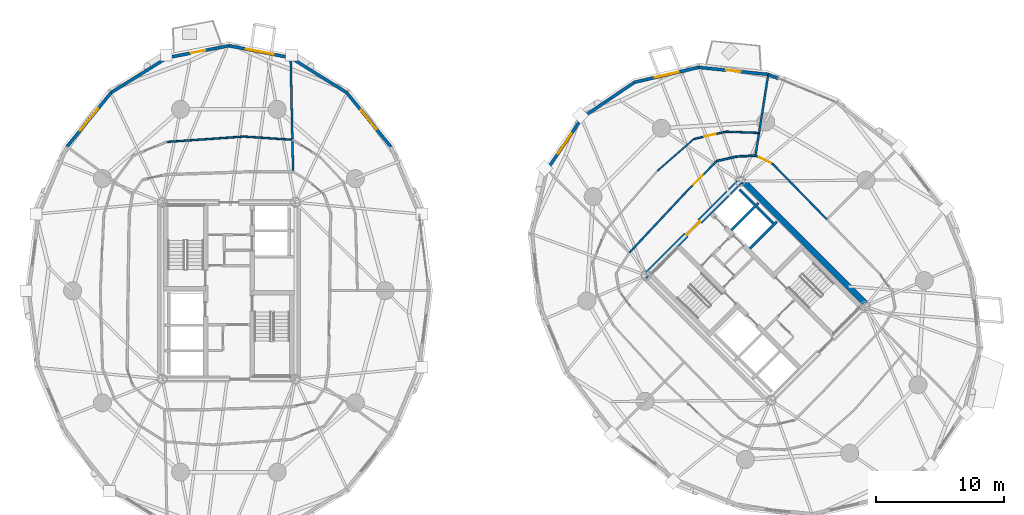
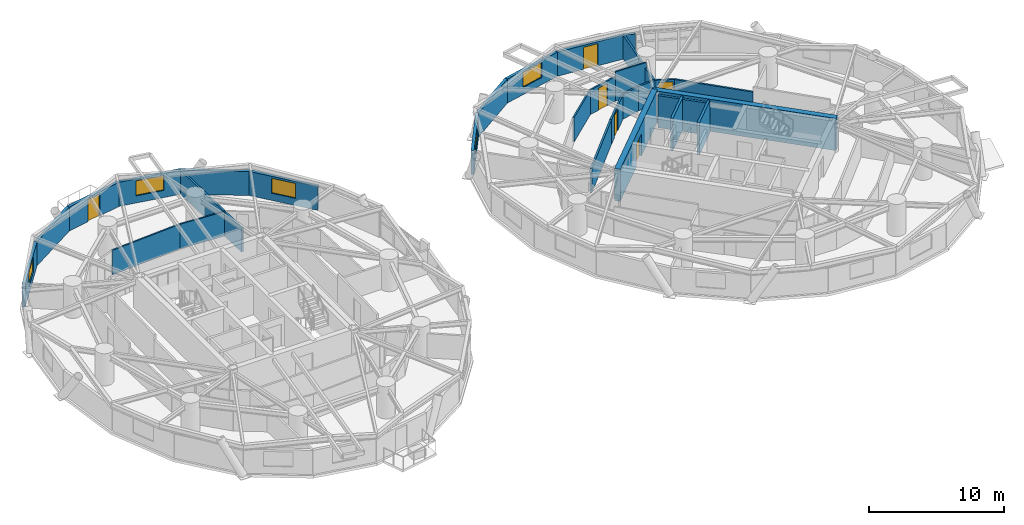
# One storey, part 14 of 18: 30 walls, 6 doors, 5 windows, 11 openings.
"""IFC4 building model written with IfcOpenShell, lengths in metres."""

from ifc_helpers import new_model, si_unit, direction, frame, frame_2d, origin, place, context, subcontext, project, spatial, rectangle, extrude, source, transform, mapped, material, layer, layer_set, type_object, element, fill, save


model = new_model("IFC4")

# Units and contexts
model_context = context("Model", 3, precision=1e-05, world=origin(), true_north=direction((0.0, 1.0)))
body_context = subcontext(model_context, "Body", "Model", "MODEL_VIEW")
ifc_project = project(units=[si_unit("LENGTHUNIT", "METRE"), si_unit("AREAUNIT", "SQUARE_METRE"), si_unit("VOLUMEUNIT", "CUBIC_METRE"), si_unit("PLANEANGLEUNIT", "RADIAN"), si_unit("MASSUNIT", "GRAM", prefix="KILO")], contexts=[model_context])

# Site, building, storey
site_placement = place(None, origin())
site = spatial("IfcSite", under=ifc_project, at=site_placement, CompositionType="ELEMENT")
building_placement = place(site_placement, origin())
building = spatial("IfcBuilding", under=site, at=building_placement, Name="Cununo Teusaquillo Station Towers", CompositionType="ELEMENT")
storey_placement = place(building_placement, frame((0.0, 0.0, 93.429931640625)))
storey = spatial("IfcBuildingStorey", under=building, at=storey_placement, Name="L29", CompositionType="ELEMENT", Elevation=93.429931640625)

# Walls
ifc_material_1 = material(Name="Concrete C50/60", Category="concrete")
ifc_layer_1 = layer(ifc_material_1, 0.199951171875)
ifc_layer_set_1 = layer_set([ifc_layer_1], Name="Concrete C50/60")
wall_type_1 = type_object("IfcWallType", Name="WL-CORE-200", PredefinedType="SHEAR", material=ifc_layer_set_1)
wall_1_placement = place(storey_placement, frame((57.0615234375, 27.781005859375, 0.0), z_axis=(0.0, 0.0, 1.0), x_axis=(0.707106781187, 0.707106781187, 0.0)))
element("IfcWall", 1, at=wall_1_placement, inside=storey, type_object=wall_type_1, Name="L29 Tower B Low-Rise Lift Hoistway South Shear Wall", PredefinedType="SHEAR", context=body_context, shape_type="SweptSolid", body=[
    extrude(rectangle(XDim=2.969970703125, YDim=0.199951171875, at=frame_2d((1.48486328125, 0.0))), origin(), (0.0, 0.0, 1.0), 2.91015625),
])
wall_2_placement = place(storey_placement, frame((55.615478515625, 29.22705078125, 0.0), z_axis=(0.0, 0.0, 1.0), x_axis=(0.707147878904, 0.70706568108, 0.0)))
element("IfcWall", 2, at=wall_2_placement, inside=storey, type_object=wall_type_1, Name="L29 Tower B Low-Rise Lift Hoistway Divider Shear Wall", PredefinedType="SHEAR", context=body_context, shape_type="SweptSolid", body=[
    extrude(rectangle(XDim=2.97021484375, YDim=0.199951171875, at=frame_2d((1.485107421875, 0.0))), origin(), (0.0, 0.0, 1.0), 2.91015625),
])
wall_3_placement = place(storey_placement, frame((58.86474609375, 29.75390625, 0.0), z_axis=(0.0, 0.0, 1.0), x_axis=(-0.707174411312, 0.707039144592, 0.0)))
element("IfcWall", 3, at=wall_3_placement, inside=storey, type_object=wall_type_1, Name="L29 Tower B Low-Rise Lift 1 Shaft Rear Shear Wall", PredefinedType="SHEAR", context=body_context, shape_type="SweptSolid", body=[
    extrude(rectangle(XDim=1.804931640625, YDim=0.199951171875, at=frame_2d((0.90234375, 0.0))), origin(), (0.0, 0.0, 1.0), 2.91015625),
])
wall_4_placement = place(storey_placement, frame((57.418701171875, 31.19970703125, 0.0), z_axis=(0.0, 0.0, 1.0), x_axis=(-0.707032117043, 0.707181437447, 0.0)))
element("IfcWall", 4, at=wall_4_placement, inside=storey, type_object=wall_type_1, Name="L29 Tower B Low-Rise Lift 2 Shaft Rear Shear Wall", PredefinedType="SHEAR", context=body_context, shape_type="SweptSolid", body=[
    extrude(rectangle(XDim=1.635009765625, YDim=0.199951171875, at=frame_2d((0.8173828125, 0.0))), origin(), (0.0, 0.0, 1.0), 2.91015625),
])
ifc_material_2 = material(Name="Concrete C60/75", Category="concrete")
ifc_layer_2 = layer(ifc_material_2, 0.449951171875)
ifc_layer_set_2 = layer_set([ifc_layer_2], Name="Concrete C60/75")
wall_type_2 = type_object("IfcWallType", Name="WL-CORE-450", PredefinedType="SHEAR", material=ifc_layer_set_2)
wall_5_placement = place(storey_placement, frame((66.303466796875, 23.2626953125, 0.0), z_axis=(0.0, 0.0, 1.0), x_axis=(-0.707106781187, 0.707106781187, 0.0)))
element("IfcWall", 5, at=wall_5_placement, inside=storey, type_object=wall_type_2, Name="L29 Tower B Core Shear Wall E", PredefinedType="SHEAR", context=body_context, shape_type="SweptSolid", body=[
    extrude(rectangle(XDim=14.19970703125, YDim=0.449951171875, at=frame_2d((7.099853515625, 0.0))), origin(), (0.0, 0.0, 1.0), 2.91015625),
])

# Wall, opening, door
wall_6_placement = place(storey_placement, frame((48.855712890625, 25.578369140625, 0.0), z_axis=(0.0, 0.0, 1.0), x_axis=(0.707106781187, 0.707106781187, 0.0)))
wall_6 = element("IfcWall", 6, at=wall_6_placement, inside=storey, type_object=wall_type_2, Name="L29 Tower B Core Shear Wall N", PredefinedType="SHEAR", context=body_context, shape_type="SweptSolid", body=[
    extrude(rectangle(XDim=10.69970703125, YDim=0.449951171875, at=frame_2d((5.349853515625, 0.0))), origin(), (0.0, 0.0, 1.0), 2.91015625),
])
shared_shape_1 = source(origin(), body_context, "Body", "SweptSolid", [
    extrude(rectangle(XDim=1.5, YDim=2.02001953125, at=frame_2d((0.75, 1.010009765625))), frame((0.0, 0.23486328125, 0.0), z_axis=(0.0, -1.0, 0.0), x_axis=(1.0, 0.0, 0.0)), (0.0, 0.0, 1.0), 0.469970703125),
])
opening_1_placement = place(wall_6_placement, frame((4.60009765625, 0.0, 0.0)))
opening_1 = element("IfcOpeningElement", 7, at=opening_1_placement, cuts=wall_6, Name="Opening D-LB1", PredefinedType="OPENING", context=body_context, shape_type="MappedRepresentation", body=[
    mapped(shared_shape_1, transform((0.0, 0.0, 0.0), x_axis=(1.0, 0.0, 0.0), y_axis=(0.0, 1.0, 0.0), z_axis=(0.0, 0.0, 1.0), scale=1.0)),
])
ifc_material_3 = material(Name="Galvanised fire-rated hollow steel door assembly", Category="steel")
door_type_1 = type_object("IfcDoorType", Name="DR-LOBBY-1500", OperationType="DOUBLE_DOOR_SINGLE_SWING", PredefinedType="DOOR", material=ifc_material_3)
shared_shape_2 = source(origin(), body_context, "Body", "SweptSolid", [
    extrude(rectangle(XDim=1.5, YDim=2.02001953125, at=frame_2d((0.75, 1.010009765625))), frame((0.0, 0.02490234375, 0.0), z_axis=(0.0, -1.0, 0.0), x_axis=(1.0, 0.0, 0.0)), (0.0, 0.0, 1.0), 0.050048828125),
])
door_1_placement = place(opening_1_placement, origin())
door_1 = element("IfcDoor", 8, at=door_1_placement, inside=storey, type_object=door_type_1, Name="L29 Tower B North Core Lift Lobby Door", OperationType="DOUBLE_DOOR_SINGLE_SWING", OverallHeight=2.02001953125, OverallWidth=1.5, PredefinedType="DOOR", context=body_context, shape_type="MappedRepresentation", body=[
    mapped(shared_shape_2, transform((0.0, 0.0, 0.0), x_axis=(1.0, 0.0, 0.0), y_axis=(0.0, 1.0, 0.0), z_axis=(0.0, 0.0, 1.0), scale=1.0)),
])
fill(opening_1, door_1)

# Wall, opening, window
ifc_material_4 = material(Name="Precast concrete C40/50", Category="concrete")
ifc_layer_3 = layer(ifc_material_4, 0.239990234375)
ifc_layer_set_3 = layer_set([ifc_layer_3], Name="Precast concrete C40/50")
wall_type_3 = type_object("IfcWallType", Name="WL-EXT-240", PredefinedType="SOLIDWALL", material=ifc_layer_set_3)
wall_7_placement = place(storey_placement, frame((25.658203125, 39.927978515625, 0.0), z_axis=(0.0, 0.0, 1.0), x_axis=(0.632700781152, -0.77439635945, 0.0)))
wall_7 = element("IfcWall", 9, at=wall_7_placement, inside=storey, type_object=wall_type_3, Name="L29 Tower A Exterior Facade Wall C02", PredefinedType="SOLIDWALL", context=body_context, shape_type="SweptSolid", body=[
    extrude(rectangle(XDim=5.447998046875, YDim=0.239990234375, at=frame_2d((2.72412109375, 0.0))), origin(), (0.0, 0.0, 1.0), 2.178955078125),
])
shared_shape_3 = source(origin(), body_context, "Body", "SweptSolid", [
    extrude(rectangle(XDim=1.89990234375, YDim=1.35009765625, at=frame_2d((0.949951171875, 0.675048828125))), frame((0.0, 0.1298828125, 0.0), z_axis=(0.0, -1.0, 0.0), x_axis=(1.0, 0.0, 0.0)), (0.0, 0.0, 1.0), 0.260009765625),
])
opening_2_placement = place(wall_7_placement, frame((1.77392578125, 0.0, 0.64990234375)))
opening_2 = element("IfcOpeningElement", 10, at=opening_2_placement, cuts=wall_7, Name="Opening WN-02", PredefinedType="OPENING", context=body_context, shape_type="MappedRepresentation", body=[
    mapped(shared_shape_3, transform((0.0, 0.0, 0.0), x_axis=(1.0, 0.0, 0.0), y_axis=(0.0, 1.0, 0.0), z_axis=(0.0, 0.0, 1.0), scale=1.0)),
])
ifc_material_5 = material(Name="Operable acoustic tinted low-E double glazing", Category="glass")
window_type_1 = type_object("IfcWindowType", Name="WIN-OPER-1900", PartitioningType="DOUBLE_PANEL_VERTICAL", PredefinedType="WINDOW", material=ifc_material_5)
shared_shape_4 = source(origin(), body_context, "Body", "SweptSolid", [
    extrude(rectangle(XDim=1.89990234375, YDim=1.35009765625, at=frame_2d((0.949951171875, 0.675048828125))), frame((0.0, 0.030029296875, 0.0), z_axis=(0.0, -1.0, 0.0), x_axis=(1.0, 0.0, 0.0)), (0.0, 0.0, 1.0), 0.06005859375),
])
window_1_placement = place(opening_2_placement, origin())
window_1 = element("IfcWindow", 11, at=window_1_placement, inside=storey, type_object=window_type_1, Name="L29 Tower A Facade Window C02", OverallHeight=1.35009765625, OverallWidth=1.89990234375, PartitioningType="DOUBLE_PANEL_VERTICAL", PredefinedType="WINDOW", context=body_context, shape_type="MappedRepresentation", body=[
    mapped(shared_shape_4, transform((0.0, 0.0, 0.0), x_axis=(1.0, 0.0, 0.0), y_axis=(0.0, 1.0, 0.0), z_axis=(0.0, 0.0, 1.0), scale=1.0)),
])
fill(opening_2, window_1)

# Wall
wall_8_placement = place(storey_placement, frame((21.314697265625, 42.63671875, 0.0), z_axis=(0.0, 0.0, 1.0), x_axis=(0.848520380187, -0.529162701263, 0.0)))
element("IfcWall", 12, at=wall_8_placement, inside=storey, type_object=wall_type_3, Name="L29 Tower A Exterior Facade Wall C03", PredefinedType="SOLIDWALL", context=body_context, shape_type="SweptSolid", body=[
    extrude(rectangle(XDim=5.118896484375, YDim=0.239990234375, at=frame_2d((2.5595703125, 0.0))), origin(), (0.0, 0.0, 1.0), 2.178955078125),
])

# Wall, opening, window
wall_9_placement = place(storey_placement, frame((16.5, 43.570068359375, 0.0), z_axis=(0.0, 0.0, 1.0), x_axis=(0.981723785992, -0.190311344954, 0.0)))
wall_9 = element("IfcWall", 13, at=wall_9_placement, inside=storey, type_object=wall_type_3, Name="L29 Tower A Exterior Facade Wall C04", PredefinedType="SOLIDWALL", context=body_context, shape_type="SweptSolid", body=[
    extrude(rectangle(XDim=4.904296875, YDim=0.239990234375, at=frame_2d((2.4521484375, 0.0))), origin(), (0.0, 0.0, 1.0), 2.178955078125),
])
shared_shape_5 = source(origin(), body_context, "Body", "SweptSolid", [
    extrude(rectangle(XDim=2.199951171875, YDim=1.35009765625, at=frame_2d((1.10009765625, 0.675048828125))), frame((0.0, 0.1298828125, 0.0), z_axis=(0.0, -1.0, 0.0), x_axis=(1.0, 0.0, 0.0)), (0.0, 0.0, 1.0), 0.260009765625),
])
opening_3_placement = place(wall_9_placement, frame((1.35205078125, 0.0, 0.64990234375)))
opening_3 = element("IfcOpeningElement", 14, at=opening_3_placement, cuts=wall_9, Name="Opening WN-01", PredefinedType="OPENING", context=body_context, shape_type="MappedRepresentation", body=[
    mapped(shared_shape_5, transform((0.0, 0.0, 0.0), x_axis=(1.0, 0.0, 0.0), y_axis=(0.0, 1.0, 0.0), z_axis=(0.0, 0.0, 1.0), scale=1.0)),
])
ifc_material_6 = material(Name="Ceramic-fritted dark low-E double glazing", Category="glass")
window_type_2 = type_object("IfcWindowType", Name="WIN-FRIT-2200", PartitioningType="DOUBLE_PANEL_VERTICAL", PredefinedType="WINDOW", material=ifc_material_6)
shared_shape_6 = source(origin(), body_context, "Body", "SweptSolid", [
    extrude(rectangle(XDim=2.199951171875, YDim=1.35009765625, at=frame_2d((1.10009765625, 0.675048828125))), frame((0.0, 0.030029296875, 0.0), z_axis=(0.0, -1.0, 0.0), x_axis=(1.0, 0.0, 0.0)), (0.0, 0.0, 1.0), 0.06005859375),
])
window_2_placement = place(opening_3_placement, origin())
window_2 = element("IfcWindow", 15, at=window_2_placement, inside=storey, type_object=window_type_2, Name="L29 Tower A Facade Window C04", OverallHeight=1.35009765625, OverallWidth=2.199951171875, PartitioningType="DOUBLE_PANEL_VERTICAL", PredefinedType="WINDOW", context=body_context, shape_type="MappedRepresentation", body=[
    mapped(shared_shape_6, transform((0.0, 0.0, 0.0), x_axis=(1.0, 0.0, 0.0), y_axis=(0.0, 1.0, 0.0), z_axis=(0.0, 0.0, 1.0), scale=1.0)),
])
fill(opening_3, window_2)

# Wall, opening, door
wall_10_placement = place(storey_placement, frame((11.685302734375, 42.63671875, 0.0), z_axis=(0.0, 0.0, 1.0), x_axis=(0.981723785992, 0.190311344954, 0.0)))
wall_10 = element("IfcWall", 16, at=wall_10_placement, inside=storey, type_object=wall_type_3, Name="L29 Tower A Exterior Facade Wall C05", PredefinedType="SOLIDWALL", context=body_context, shape_type="SweptSolid", body=[
    extrude(rectangle(XDim=4.904296875, YDim=0.239990234375, at=frame_2d((2.4521484375, 0.0))), origin(), (0.0, 0.0, 1.0), 2.178955078125),
])
shared_shape_7 = source(origin(), body_context, "Body", "SweptSolid", [
    extrude(rectangle(XDim=1.14990234375, YDim=2.0048828125, at=frame_2d((0.574951171875, 1.00244140625))), frame((0.0, 0.1298828125, 0.0), z_axis=(0.0, -1.0, 0.0), x_axis=(1.0, 0.0, 0.0)), (0.0, 0.0, 1.0), 0.260009765625),
])
opening_4_placement = place(wall_10_placement, frame((1.876953125, 0.0, 0.0)))
opening_4 = element("IfcOpeningElement", 17, at=opening_4_placement, cuts=wall_10, Name="Opening ED-03", PredefinedType="OPENING", context=body_context, shape_type="MappedRepresentation", body=[
    mapped(shared_shape_7, transform((0.0, 0.0, 0.0), x_axis=(1.0, 0.0, 0.0), y_axis=(0.0, 1.0, 0.0), z_axis=(0.0, 0.0, 1.0), scale=1.0)),
])
ifc_material_7 = material(Name="Anodised dark bronze aluminium EN AW-6063-T6", Category="aluminium")
door_type_2 = type_object("IfcDoorType", Name="DR-EXT-BAL", OperationType="NOTDEFINED", PredefinedType="DOOR", material=ifc_material_7)
shared_shape_8 = source(origin(), body_context, "Body", "SweptSolid", [
    extrude(rectangle(XDim=1.14990234375, YDim=2.0048828125, at=frame_2d((0.574951171875, 1.00244140625))), frame((0.0, 0.02490234375, 0.0), z_axis=(0.0, -1.0, 0.0), x_axis=(1.0, 0.0, 0.0)), (0.0, 0.0, 1.0), 0.050048828125),
])
door_2_placement = place(opening_4_placement, origin())
door_2 = element("IfcDoor", 18, at=door_2_placement, inside=storey, type_object=door_type_2, Name="L29 Tower A Tree Balcony Door C05", OperationType="SINGLE_SWING_LEFT", OverallHeight=2.0048828125, OverallWidth=1.14990234375, PredefinedType="DOOR", context=body_context, shape_type="MappedRepresentation", body=[
    mapped(shared_shape_8, transform((0.0, 0.0, 0.0), x_axis=(1.0, 0.0, 0.0), y_axis=(0.0, 1.0, 0.0), z_axis=(0.0, 0.0, 1.0), scale=1.0)),
])
fill(opening_4, door_2)

# Wall
wall_11_placement = place(storey_placement, frame((7.341796875, 39.927978515625, 0.0), z_axis=(0.0, 0.0, 1.0), x_axis=(0.848520380187, 0.529162701263, 0.0)))
element("IfcWall", 19, at=wall_11_placement, inside=storey, type_object=wall_type_3, Name="L29 Tower A Exterior Facade Wall C06", PredefinedType="SOLIDWALL", context=body_context, shape_type="SweptSolid", body=[
    extrude(rectangle(XDim=5.118896484375, YDim=0.239990234375, at=frame_2d((2.5595703125, 0.0))), origin(), (0.0, 0.0, 1.0), 2.178955078125),
])

# Wall, opening, window
wall_12_placement = place(storey_placement, frame((3.894775390625, 35.708984375, 0.0), z_axis=(0.0, 0.0, 1.0), x_axis=(0.632700781152, 0.77439635945, 0.0)))
wall_12 = element("IfcWall", 20, at=wall_12_placement, inside=storey, type_object=wall_type_3, Name="L29 Tower A Exterior Facade Wall C07", PredefinedType="SOLIDWALL", context=body_context, shape_type="SweptSolid", body=[
    extrude(rectangle(XDim=5.447998046875, YDim=0.239990234375, at=frame_2d((2.72412109375, 0.0))), origin(), (0.0, 0.0, 1.0), 2.178955078125),
])
opening_5_placement = place(wall_12_placement, frame((1.6240234375, 0.0, 0.64990234375)))
opening_5 = element("IfcOpeningElement", 21, at=opening_5_placement, cuts=wall_12, Name="Opening WN-01", PredefinedType="OPENING", context=body_context, shape_type="MappedRepresentation", body=[
    mapped(shared_shape_5, transform((0.0, 0.0, 0.0), x_axis=(1.0, 0.0, 0.0), y_axis=(0.0, 1.0, 0.0), z_axis=(0.0, 0.0, 1.0), scale=1.0)),
])
window_3_placement = place(opening_5_placement, origin())
window_3 = element("IfcWindow", 22, at=window_3_placement, inside=storey, type_object=window_type_2, Name="L29 Tower A Facade Window C07", OverallHeight=1.35009765625, OverallWidth=2.199951171875, PartitioningType="DOUBLE_PANEL_VERTICAL", PredefinedType="WINDOW", context=body_context, shape_type="MappedRepresentation", body=[
    mapped(shared_shape_6, transform((0.0, 0.0, 0.0), x_axis=(1.0, 0.0, 0.0), y_axis=(0.0, 1.0, 0.0), z_axis=(0.0, 0.0, 1.0), scale=1.0)),
])
fill(opening_5, window_3)

# Wall
wall_13_placement = place(storey_placement, frame((58.4873046875, 41.33935546875, 0.0), z_axis=(0.0, 0.0, 1.0), x_axis=(0.924556017656, -0.381046152345, 0.0)))
element("IfcWall", 23, at=wall_13_placement, inside=storey, type_object=wall_type_3, Name="L29 Tower B Column Pier Cladding Wall C01-PA", PredefinedType="SOLIDWALL", context=body_context, shape_type="SweptSolid", body=[
    extrude(rectangle(XDim=0.8701171875, YDim=0.239990234375, at=frame_2d((0.43505859375, 0.0))), origin(), (0.0, 0.0, 1.0), 2.178955078125),
])

# Wall, opening, door
wall_14_placement = place(storey_placement, frame((53.066650390625, 41.885009765625, 0.0), z_axis=(0.0, 0.0, 1.0), x_axis=(0.994971754311, -0.10015591906, 0.0)))
wall_14 = element("IfcWall", 24, at=wall_14_placement, inside=storey, type_object=wall_type_3, Name="L29 Tower B Exterior Facade Wall C02", PredefinedType="SOLIDWALL", context=body_context, shape_type="SweptSolid", body=[
    extrude(rectangle(XDim=5.447998046875, YDim=0.239990234375, at=frame_2d((2.72412109375, 0.0))), origin(), (0.0, 0.0, 1.0), 2.178955078125),
])
opening_6_placement = place(wall_14_placement, frame((2.14892578125, 0.0, 0.0)))
opening_6 = element("IfcOpeningElement", 25, at=opening_6_placement, cuts=wall_14, Name="Opening ED-03", PredefinedType="OPENING", context=body_context, shape_type="MappedRepresentation", body=[
    mapped(shared_shape_7, transform((0.0, 0.0, 0.0), x_axis=(1.0, 0.0, 0.0), y_axis=(0.0, 1.0, 0.0), z_axis=(0.0, 0.0, 1.0), scale=1.0)),
])
door_3_placement = place(opening_6_placement, origin())
door_3 = element("IfcDoor", 26, at=door_3_placement, inside=storey, type_object=door_type_2, Name="L29 Tower B Tree Balcony Door C02", OperationType="SINGLE_SWING_LEFT", OverallHeight=2.0048828125, OverallWidth=1.14990234375, PredefinedType="DOOR", context=body_context, shape_type="MappedRepresentation", body=[
    mapped(shared_shape_8, transform((0.0, 0.0, 0.0), x_axis=(1.0, 0.0, 0.0), y_axis=(0.0, 1.0, 0.0), z_axis=(0.0, 0.0, 1.0), scale=1.0)),
])
fill(opening_6, door_3)

# Wall, opening, window
wall_15_placement = place(storey_placement, frame((48.080078125, 40.72900390625, 0.0), z_axis=(0.0, 0.0, 1.0), x_axis=(0.974165631126, 0.225834725257, 0.0)))
wall_15 = element("IfcWall", 27, at=wall_15_placement, inside=storey, type_object=wall_type_3, Name="L29 Tower B Exterior Facade Wall C03", PredefinedType="SOLIDWALL", context=body_context, shape_type="SweptSolid", body=[
    extrude(rectangle(XDim=5.118896484375, YDim=0.239990234375, at=frame_2d((2.5595703125, 0.0))), origin(), (0.0, 0.0, 1.0), 2.178955078125),
])
opening_7_placement = place(wall_15_placement, frame((1.60888671875, 0.0, 0.64990234375)))
opening_7 = element("IfcOpeningElement", 28, at=opening_7_placement, cuts=wall_15, Name="Opening WN-02", PredefinedType="OPENING", context=body_context, shape_type="MappedRepresentation", body=[
    mapped(shared_shape_3, transform((0.0, 0.0, 0.0), x_axis=(1.0, 0.0, 0.0), y_axis=(0.0, 1.0, 0.0), z_axis=(0.0, 0.0, 1.0), scale=1.0)),
])
window_4_placement = place(opening_7_placement, origin())
window_4 = element("IfcWindow", 29, at=window_4_placement, inside=storey, type_object=window_type_1, Name="L29 Tower B Facade Window C03", OverallHeight=1.35009765625, OverallWidth=1.89990234375, PartitioningType="DOUBLE_PANEL_VERTICAL", PredefinedType="WINDOW", context=body_context, shape_type="MappedRepresentation", body=[
    mapped(shared_shape_4, transform((0.0, 0.0, 0.0), x_axis=(1.0, 0.0, 0.0), y_axis=(0.0, 1.0, 0.0), z_axis=(0.0, 0.0, 1.0), scale=1.0)),
])
fill(opening_7, window_4)

# Wall
wall_16_placement = place(storey_placement, frame((44.015380859375, 37.984619140625, 0.0), z_axis=(0.0, 0.0, 1.0), x_axis=(0.828781148131, 0.559572880421, 0.0)))
element("IfcWall", 30, at=wall_16_placement, inside=storey, type_object=wall_type_3, Name="L29 Tower B Exterior Facade Wall C04", PredefinedType="SOLIDWALL", context=body_context, shape_type="SweptSolid", body=[
    extrude(rectangle(XDim=4.904541015625, YDim=0.239990234375, at=frame_2d((2.4521484375, 0.0))), origin(), (0.0, 0.0, 1.0), 2.178955078125),
])

# Wall, opening, window
wall_17_placement = place(storey_placement, frame((41.27099609375, 33.919921875, 0.0), z_axis=(0.0, 0.0, 1.0), x_axis=(0.559572880421, 0.828781148131, 0.0)))
wall_17 = element("IfcWall", 31, at=wall_17_placement, inside=storey, type_object=wall_type_3, Name="L29 Tower B Exterior Facade Wall C05", PredefinedType="SOLIDWALL", context=body_context, shape_type="SweptSolid", body=[
    extrude(rectangle(XDim=4.904541015625, YDim=0.239990234375, at=frame_2d((2.4521484375, 0.0))), origin(), (0.0, 0.0, 1.0), 2.178955078125),
])
opening_8_placement = place(wall_17_placement, frame((1.501953125, 0.0, 0.64990234375)))
opening_8 = element("IfcOpeningElement", 32, at=opening_8_placement, cuts=wall_17, Name="Opening WN-02", PredefinedType="OPENING", context=body_context, shape_type="MappedRepresentation", body=[
    mapped(shared_shape_3, transform((0.0, 0.0, 0.0), x_axis=(1.0, 0.0, 0.0), y_axis=(0.0, 1.0, 0.0), z_axis=(0.0, 0.0, 1.0), scale=1.0)),
])
window_5_placement = place(opening_8_placement, origin())
window_5 = element("IfcWindow", 33, at=window_5_placement, inside=storey, type_object=window_type_1, Name="L29 Tower B Facade Window C05", OverallHeight=1.35009765625, OverallWidth=1.89990234375, PartitioningType="DOUBLE_PANEL_VERTICAL", PredefinedType="WINDOW", context=body_context, shape_type="MappedRepresentation", body=[
    mapped(shared_shape_4, transform((0.0, 0.0, 0.0), x_axis=(1.0, 0.0, 0.0), y_axis=(0.0, 1.0, 0.0), z_axis=(0.0, 0.0, 1.0), scale=1.0)),
])
fill(opening_8, window_5)

# Walls
ifc_material_8 = material(Name="Fire-rated gypsum plasterboard partition assembly", Category="gypsum")
ifc_layer_4 = layer(ifc_material_8, 0.125)
ifc_layer_set_4 = layer_set([ifc_layer_4], Name="Fire-rated gypsum plasterboard partition assembly")
wall_type_4 = type_object("IfcWallType", Name="WL-PART-125", PredefinedType="PARTITIONING", material=ifc_layer_set_4)
wall_18_placement = place(storey_placement, frame((21.443603515625, 36.2509765625, 0.0), z_axis=(0.0, 0.0, 1.0), x_axis=(-0.997810544349, 0.066137112017, 0.0)))
element("IfcWall", 34, at=wall_18_placement, inside=storey, type_object=wall_type_4, Name="L29 Tower A Parametric Prototyping Lab Concentric Partition Wall C04", PredefinedType="PARTITIONING", context=body_context, shape_type="SweptSolid", body=[
    extrude(rectangle(XDim=3.7763671875, YDim=0.125, at=frame_2d((1.88818359375, 0.0))), origin(), (0.0, 0.0, 1.0), 2.22509765625),
])
wall_19_placement = place(storey_placement, frame((17.675537109375, 36.500732421875, 0.0), z_axis=(0.0, 0.0, 1.0), x_axis=(-0.997570913993, -0.069658248298, 0.0)))
element("IfcWall", 35, at=wall_19_placement, inside=storey, type_object=wall_type_4, Name="L29 Tower A Parametric Prototyping Lab Concentric Partition Wall C05", PredefinedType="PARTITIONING", context=body_context, shape_type="SweptSolid", body=[
    extrude(rectangle(XDim=6.0283203125, YDim=0.125, at=frame_2d((3.01416015625, 0.0))), origin(), (0.0, 0.0, 1.0), 2.22509765625),
])
wall_20_placement = place(storey_placement, frame((57.768798828125, 36.784912109375, 0.0), z_axis=(0.0, 0.0, 1.0), x_axis=(-0.999316779648, 0.036959084311, 0.0)))
element("IfcWall", 36, at=wall_20_placement, inside=storey, type_object=wall_type_4, Name="L29 Tower B Parametric Prototyping Lab Concentric Partition Wall C02", PredefinedType="PARTITIONING", context=body_context, shape_type="SweptSolid", body=[
    extrude(rectangle(XDim=2.576171875, YDim=0.125, at=frame_2d((1.2880859375, 0.0))), origin(), (0.0, 0.0, 1.0), 2.655029296875),
])

# Wall, opening, door
wall_21_placement = place(storey_placement, frame((55.1943359375, 36.880126953125, 0.0), z_axis=(0.0, 0.0, 1.0), x_axis=(-0.97469098149, -0.22355645954, 0.0)))
wall_21 = element("IfcWall", 37, at=wall_21_placement, inside=storey, type_object=wall_type_4, Name="L29 Tower B Parametric Prototyping Lab Concentric Partition Wall C03", PredefinedType="PARTITIONING", context=body_context, shape_type="SweptSolid", body=[
    extrude(rectangle(XDim=2.572998046875, YDim=0.125, at=frame_2d((1.28662109375, 0.0))), origin(), (0.0, 0.0, 1.0), 2.22509765625),
])
shared_shape_9 = source(origin(), body_context, "Body", "SweptSolid", [
    extrude(rectangle(XDim=0.89990234375, YDim=2.0048828125, at=frame_2d((0.449951171875, 1.00244140625))), frame((0.0, 0.072509765625, 0.0), z_axis=(0.0, -1.0, 0.0), x_axis=(1.0, 0.0, 0.0)), (0.0, 0.0, 1.0), 0.14501953125),
])
opening_9_placement = place(wall_21_placement, frame((0.83642578125, 0.0, 0.0)))
opening_9 = element("IfcOpeningElement", 38, at=opening_9_placement, cuts=wall_21, Name="Opening D-IN1", PredefinedType="OPENING", context=body_context, shape_type="MappedRepresentation", body=[
    mapped(shared_shape_9, transform((0.0, 0.0, 0.0), x_axis=(1.0, 0.0, 0.0), y_axis=(0.0, 1.0, 0.0), z_axis=(0.0, 0.0, 1.0), scale=1.0)),
])
ifc_material_9 = material(Name="Acoustic solid-core hardwood leaf assembly", Category="wood")
door_type_3 = type_object("IfcDoorType", Name="DR-INT-900", OperationType="NOTDEFINED", PredefinedType="DOOR", material=ifc_material_9)
shared_shape_10 = source(origin(), body_context, "Body", "SweptSolid", [
    extrude(rectangle(XDim=0.89990234375, YDim=2.0048828125, at=frame_2d((0.449951171875, 1.00244140625))), frame((0.0, 0.02490234375, 0.0), z_axis=(0.0, -1.0, 0.0), x_axis=(1.0, 0.0, 0.0)), (0.0, 0.0, 1.0), 0.050048828125),
])
door_4_placement = place(opening_9_placement, origin())
door_4 = element("IfcDoor", 39, at=door_4_placement, inside=storey, type_object=door_type_3, Name="L29 Tower B Parametric Prototyping Lab Connecting Door", OperationType="SINGLE_SWING_LEFT", OverallHeight=2.0048828125, OverallWidth=0.89990234375, PredefinedType="DOOR", context=body_context, shape_type="MappedRepresentation", body=[
    mapped(shared_shape_10, transform((0.0, 0.0, 0.0), x_axis=(1.0, 0.0, 0.0), y_axis=(0.0, 1.0, 0.0), z_axis=(0.0, 0.0, 1.0), scale=1.0)),
])
fill(opening_9, door_4)

# Walls
wall_22_placement = place(storey_placement, frame((52.6865234375, 36.304931640625, 0.0), z_axis=(0.0, 0.0, 1.0), x_axis=(-0.752332345919, -0.658783759123, 0.0)))
element("IfcWall", 40, at=wall_22_placement, inside=storey, type_object=wall_type_4, Name="L29 Tower B Parametric Prototyping Lab Concentric Partition Wall C04", PredefinedType="PARTITIONING", context=body_context, shape_type="SweptSolid", body=[
    extrude(rectangle(XDim=3.7763671875, YDim=0.125, at=frame_2d((1.88818359375, 0.0))), origin(), (0.0, 0.0, 1.0), 2.22509765625),
])
ifc_material_10 = material(Name="Fire-rated gypsum plasterboard partition assembly", Category="gypsum")
ifc_layer_5 = layer(ifc_material_10, 0.14990234375)
ifc_layer_set_5 = layer_set([ifc_layer_5], Name="Fire-rated gypsum plasterboard partition assembly")
wall_type_5 = type_object("IfcWallType", Name="WL-PART-150", PredefinedType="PARTITIONING", material=ifc_layer_set_5)
wall_23_placement = place(storey_placement, frame((63.05078125, 30.05078125, 0.0), z_axis=(0.0, 0.0, 1.0), x_axis=(-0.698846622234, 0.715271555839, 0.0)))
element("IfcWall", 41, at=wall_23_placement, inside=storey, type_object=wall_type_5, Name="L29 Tower B Corridor Ring Wall C00", PredefinedType="PARTITIONING", context=body_context, shape_type="SweptSolid", body=[
    extrude(rectangle(XDim=6.049560546875, YDim=0.14990234375, at=frame_2d((3.02490234375, 0.0))), origin(), (0.0, 0.0, 1.0), 2.22509765625),
])

# Wall, opening, door
wall_24_placement = place(storey_placement, frame((58.822998046875, 34.3779296875, 0.0), z_axis=(0.0, 0.0, 1.0), x_axis=(-0.900449137666, 0.434961320668, 0.0)))
wall_24 = element("IfcWall", 42, at=wall_24_placement, inside=storey, type_object=wall_type_5, Name="L29 Tower B Corridor Ring Wall C01", PredefinedType="PARTITIONING", context=body_context, shape_type="SweptSolid", body=[
    extrude(rectangle(XDim=1.4794921875, YDim=0.14990234375, at=frame_2d((0.73974609375, 0.0))), origin(), (0.0, 0.0, 1.0), 2.22509765625),
])
shared_shape_11 = source(origin(), body_context, "Body", "SweptSolid", [
    extrude(rectangle(XDim=1.050048828125, YDim=2.014892578125, at=frame_2d((0.52490234375, 1.00732421875))), frame((0.0, 0.0849609375, 0.0), z_axis=(0.0, -1.0, 0.0), x_axis=(1.0, 0.0, 0.0)), (0.0, 0.0, 1.0), 0.169921875),
])
opening_10_placement = place(wall_24_placement, frame((0.1201171875, 0.0, 0.0)))
opening_10 = element("IfcOpeningElement", 43, at=opening_10_placement, cuts=wall_24, Name="Opening D-SU1", PredefinedType="OPENING", context=body_context, shape_type="MappedRepresentation", body=[
    mapped(shared_shape_11, transform((0.0, 0.0, 0.0), x_axis=(1.0, 0.0, 0.0), y_axis=(0.0, 1.0, 0.0), z_axis=(0.0, 0.0, 1.0), scale=1.0)),
])
ifc_material_11 = material(Name="Acoustic solid-core hardwood leaf assembly", Category="wood")
door_type_4 = type_object("IfcDoorType", Name="DR-SUITE-1050", OperationType="NOTDEFINED", PredefinedType="DOOR", material=ifc_material_11)
shared_shape_12 = source(origin(), body_context, "Body", "SweptSolid", [
    extrude(rectangle(XDim=1.050048828125, YDim=2.014892578125, at=frame_2d((0.52490234375, 1.00732421875))), frame((0.0, 0.02490234375, 0.0), z_axis=(0.0, -1.0, 0.0), x_axis=(1.0, 0.0, 0.0)), (0.0, 0.0, 1.0), 0.050048828125),
])
door_5_placement = place(opening_10_placement, origin())
door_5 = element("IfcDoor", 44, at=door_5_placement, inside=storey, type_object=door_type_4, Name="L29 Tower B Digital Engineering Open Workplace Entrance Door", OperationType="SINGLE_SWING_LEFT", OverallHeight=2.014892578125, OverallWidth=1.050048828125, PredefinedType="DOOR", context=body_context, shape_type="MappedRepresentation", body=[
    mapped(shared_shape_12, transform((0.0, 0.0, 0.0), x_axis=(1.0, 0.0, 0.0), y_axis=(0.0, 1.0, 0.0), z_axis=(0.0, 0.0, 1.0), scale=1.0)),
])
fill(opening_10, door_5)

# Walls
wall_25_placement = place(storey_placement, frame((57.49072265625, 35.021484375, 0.0), z_axis=(0.0, 0.0, 1.0), x_axis=(-0.9985194771, -0.054395347698, 0.0)))
element("IfcWall", 45, at=wall_25_placement, inside=storey, type_object=wall_type_5, Name="L29 Tower B Corridor Ring Wall C02", PredefinedType="PARTITIONING", context=body_context, shape_type="SweptSolid", body=[
    extrude(rectangle(XDim=1.47216796875, YDim=0.14990234375, at=frame_2d((0.736083984375, 0.0))), origin(), (0.0, 0.0, 1.0), 2.22509765625),
])
wall_26_placement = place(storey_placement, frame((56.020751953125, 34.94140625, 0.0), z_axis=(0.0, 0.0, 1.0), x_axis=(-0.975309543901, -0.220842236847, 0.0)))
element("IfcWall", 46, at=wall_26_placement, inside=storey, type_object=wall_type_5, Name="L29 Tower B Corridor Ring Wall C03", PredefinedType="PARTITIONING", context=body_context, shape_type="SweptSolid", body=[
    extrude(rectangle(XDim=1.585205078125, YDim=0.14990234375, at=frame_2d((0.79248046875, 0.0))), origin(), (0.0, 0.0, 1.0), 2.22509765625),
])

# Wall, opening, door
wall_27_placement = place(storey_placement, frame((54.474609375, 34.59130859375, 0.0), z_axis=(0.0, 0.0, 1.0), x_axis=(-0.703869646439, -0.710329163714, 0.0)))
wall_27 = element("IfcWall", 47, at=wall_27_placement, inside=storey, type_object=wall_type_5, Name="L29 Tower B Corridor Ring Wall C04", PredefinedType="PARTITIONING", context=body_context, shape_type="SweptSolid", body=[
    extrude(rectangle(XDim=3.36376953125, YDim=0.14990234375, at=frame_2d((1.681884765625, 0.0))), origin(), (0.0, 0.0, 1.0), 2.22509765625),
])
opening_11_placement = place(wall_27_placement, frame((1.545654296875, 0.0, 0.0)))
opening_11 = element("IfcOpeningElement", 48, at=opening_11_placement, cuts=wall_27, Name="Opening D-SU1", PredefinedType="OPENING", context=body_context, shape_type="MappedRepresentation", body=[
    mapped(shared_shape_11, transform((0.0, 0.0, 0.0), x_axis=(1.0, 0.0, 0.0), y_axis=(0.0, 1.0, 0.0), z_axis=(0.0, 0.0, 1.0), scale=1.0)),
])
door_6_placement = place(opening_11_placement, origin())
door_6 = element("IfcDoor", 49, at=door_6_placement, inside=storey, type_object=door_type_4, Name="L29 Tower B Parametric Prototyping Lab Entrance Door", OperationType="SINGLE_SWING_RIGHT", OverallHeight=2.014892578125, OverallWidth=1.050048828125, PredefinedType="DOOR", context=body_context, shape_type="MappedRepresentation", body=[
    mapped(shared_shape_12, transform((0.0, 0.0, 0.0), x_axis=(1.0, 0.0, 0.0), y_axis=(0.0, 1.0, 0.0), z_axis=(0.0, 0.0, 1.0), scale=1.0)),
])
fill(opening_11, door_6)

# Walls
wall_28_placement = place(storey_placement, frame((52.10693359375, 32.201904296875, 0.0), z_axis=(0.0, 0.0, 1.0), x_axis=(-0.682605209028, -0.730787334734, 0.0)))
element("IfcWall", 50, at=wall_28_placement, inside=storey, type_object=wall_type_5, Name="L29 Tower B Corridor Ring Wall C05", PredefinedType="PARTITIONING", context=body_context, shape_type="SweptSolid", body=[
    extrude(rectangle(XDim=6.48583984375, YDim=0.14990234375, at=frame_2d((3.242919921875, 0.0))), origin(), (0.0, 0.0, 1.0), 2.22509765625),
])
ifc_material_12 = material(Name="Fire-rated gypsum plasterboard partition assembly", Category="gypsum")
ifc_layer_6 = layer(ifc_material_12, 0.159912109375)
ifc_layer_set_6 = layer_set([ifc_layer_6], Name="Fire-rated gypsum plasterboard partition assembly")
wall_type_6 = type_object("IfcWallType", Name="WL-PART-160", PredefinedType="PARTITIONING", material=ifc_layer_set_6)
wall_29_placement = place(storey_placement, frame((21.496337890625, 33.77490234375, 0.0), z_axis=(0.0, 0.0, 1.0), x_axis=(-0.021226580265, 0.999774690763, 0.0)))
element("IfcWall", 51, at=wall_29_placement, inside=storey, type_object=wall_type_6, Name="L29 Tower A Radial Suite Partition R02", PredefinedType="PARTITIONING", context=body_context, shape_type="SweptSolid", body=[
    extrude(rectangle(XDim=8.8447265625, YDim=0.159912109375, at=frame_2d((4.42236328125, 0.0))), origin(), (0.0, 0.0, 1.0), 2.178955078125),
])
wall_30_placement = place(storey_placement, frame((57.49072265625, 35.021484375, 0.0), z_axis=(0.0, 0.0, 1.0), x_axis=(0.155805268746, 0.98778779008, 0.0)))
element("IfcWall", 52, at=wall_30_placement, inside=storey, type_object=wall_type_6, Name="L29 Tower B Radial Suite Partition R02", PredefinedType="PARTITIONING", context=body_context, shape_type="SweptSolid", body=[
    extrude(rectangle(XDim=6.3759765625, YDim=0.159912109375, at=frame_2d((3.18798828125, 0.0))), origin(), (0.0, 0.0, 1.0), 2.178955078125),
])

save(model, "model.ifc")
